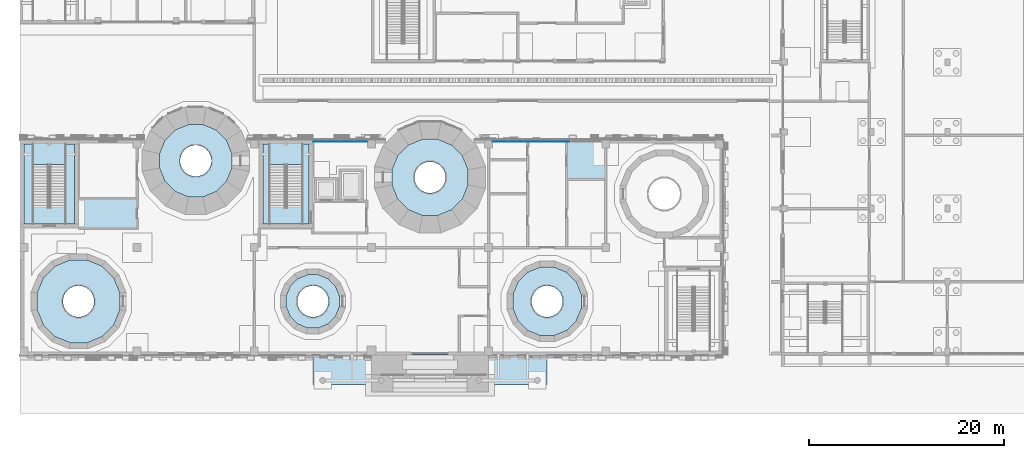
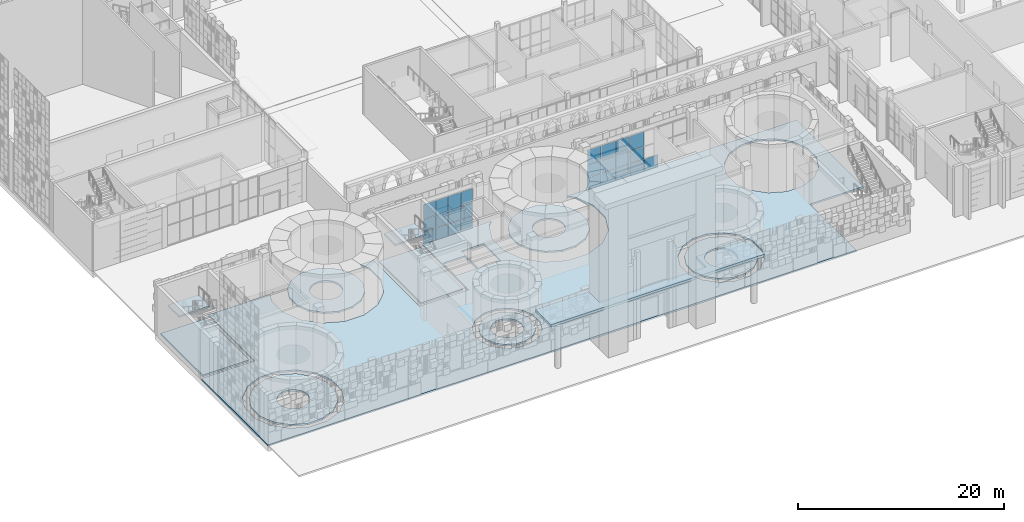
# One storey, part 40 of 125: 25 plates, 11 slabs, 4 elements without a shape of their own.
"""IFC4 building model written with IfcOpenShell, lengths in metres."""

from ifc_helpers import new_model, si_unit, direction, frame, origin, origin_2d, place, context, subcontext, project, spatial, polyline, rectangle, outline, extrude, material, layer, layer_set, type_object, element, aggregate, save


model = new_model("IFC4")

# Units and contexts
model_context = context("Model", 3, precision=1e-05, world=origin(), true_north=direction((0.0, 1.0)))
body_context = subcontext(model_context, "Body", "Model", "MODEL_VIEW")
ifc_project = project(units=[si_unit("LENGTHUNIT", "METRE"), si_unit("AREAUNIT", "SQUARE_METRE"), si_unit("VOLUMEUNIT", "CUBIC_METRE"), si_unit("PLANEANGLEUNIT", "RADIAN"), si_unit("MASSUNIT", "GRAM", prefix="KILO")], contexts=[model_context])

# Site, building, storey
site_placement = place(None, origin())
site = spatial("IfcSite", under=ifc_project, at=site_placement, CompositionType="ELEMENT")
building_placement = place(site_placement, origin())
building = spatial("IfcBuilding", under=site, at=building_placement, Name="Sun Court Science Centre", CompositionType="ELEMENT")
storey_placement = place(building_placement, origin())
storey = spatial("IfcBuildingStorey", under=building, at=storey_placement, Name="L00", CompositionType="ELEMENT", Elevation=0.0)

# Curtain wall, plates
ifc_material_1 = material(Name="Aluminium EN AW-6063 T6", Category="aluminium")
curtain_wall_type = type_object("IfcCurtainWallType", Name="Court gallery curtain wall 1500", PredefinedType="NOTDEFINED", material=ifc_material_1)
curtain_wall_1_placement = place(storey_placement, origin())
curtain_wall_1 = element("IfcCurtainWall", 1, at=curtain_wall_1_placement, inside=storey, type_object=curtain_wall_type, Name="Curtain wall V2 N L00 01", PredefinedType="NOTDEFINED")
ifc_material_2 = material(Name="Insulated glass", Category="glass")
ifc_layer_1 = layer(ifc_material_2, 0.031982421875)
ifc_layer_set_1 = layer_set([ifc_layer_1], Name="Insulated glass")
plate_type = type_object("IfcPlateType", Name="Foyer insulated glazing panel 8-16-8", PredefinedType="CURTAIN_PANEL", material=ifc_layer_set_1)
plate_1_placement = place(storey_placement, frame((30.71240234375, 27.85009765625, 0.0498046875), z_axis=(0.0, 0.0, 1.0), x_axis=(1.0, 0.0, 0.0)))
plate_1 = element("IfcPlate", 2, at=plate_1_placement, type_object=plate_type, Name="CW5-01 panel 1.1", PredefinedType="CURTAIN_PANEL", context=body_context, shape_type="SweptSolid", body=[
    extrude(rectangle(XDim=1.324951171875, YDim=0.031982421875, at=origin_2d()), origin(), (0.0, 0.0, 1.0), 1.425048828125),
])
plate_2_placement = place(storey_placement, frame((32.10009765625, 27.85009765625, 0.0498046875), z_axis=(0.0, 0.0, 1.0), x_axis=(1.0, 0.0, 0.0)))
plate_2 = element("IfcPlate", 3, at=plate_2_placement, type_object=plate_type, Name="CW5-01 panel 2.1", PredefinedType="CURTAIN_PANEL", context=body_context, shape_type="SweptSolid", body=[
    extrude(rectangle(XDim=1.35009765625, YDim=0.031982421875, at=origin_2d()), origin(), (0.0, 0.0, 1.0), 1.425048828125),
])
plate_3_placement = place(storey_placement, frame((33.5, 27.85009765625, 0.0498046875), z_axis=(0.0, 0.0, 1.0), x_axis=(1.0, 0.0, 0.0)))
plate_3 = element("IfcPlate", 4, at=plate_3_placement, type_object=plate_type, Name="CW5-01 panel 3.1", PredefinedType="CURTAIN_PANEL", context=body_context, shape_type="SweptSolid", body=[
    extrude(rectangle(XDim=1.35009765625, YDim=0.031982421875, at=origin_2d()), origin(), (0.0, 0.0, 1.0), 1.425048828125),
])
plate_4_placement = place(storey_placement, frame((34.887451171875, 27.85009765625, 0.0498046875), z_axis=(0.0, 0.0, 1.0), x_axis=(1.0, 0.0, 0.0)))
plate_4 = element("IfcPlate", 5, at=plate_4_placement, type_object=plate_type, Name="CW5-01 panel 4.1", PredefinedType="CURTAIN_PANEL", context=body_context, shape_type="SweptSolid", body=[
    extrude(rectangle(XDim=1.324951171875, YDim=0.031982421875, at=origin_2d()), origin(), (0.0, 0.0, 1.0), 1.425048828125),
])
plate_5_placement = place(storey_placement, frame((30.71240234375, 27.85009765625, 1.52490234375), z_axis=(0.0, 0.0, 1.0), x_axis=(1.0, 0.0, 0.0)))
plate_5 = element("IfcPlate", 6, at=plate_5_placement, type_object=plate_type, Name="CW5-01 panel 1.2", PredefinedType="CURTAIN_PANEL", context=body_context, shape_type="SweptSolid", body=[
    extrude(rectangle(XDim=1.324951171875, YDim=0.031982421875, at=origin_2d()), origin(), (0.0, 0.0, 1.0), 1.449951171875),
])
plate_6_placement = place(storey_placement, frame((32.10009765625, 27.85009765625, 1.52490234375), z_axis=(0.0, 0.0, 1.0), x_axis=(1.0, 0.0, 0.0)))
plate_6 = element("IfcPlate", 7, at=plate_6_placement, type_object=plate_type, Name="CW5-01 panel 2.2", PredefinedType="CURTAIN_PANEL", context=body_context, shape_type="SweptSolid", body=[
    extrude(rectangle(XDim=1.35009765625, YDim=0.031982421875, at=origin_2d()), origin(), (0.0, 0.0, 1.0), 1.449951171875),
])
plate_7_placement = place(storey_placement, frame((33.5, 27.85009765625, 1.52490234375), z_axis=(0.0, 0.0, 1.0), x_axis=(1.0, 0.0, 0.0)))
plate_7 = element("IfcPlate", 8, at=plate_7_placement, type_object=plate_type, Name="CW5-01 panel 3.2", PredefinedType="CURTAIN_PANEL", context=body_context, shape_type="SweptSolid", body=[
    extrude(rectangle(XDim=1.35009765625, YDim=0.031982421875, at=origin_2d()), origin(), (0.0, 0.0, 1.0), 1.449951171875),
])
plate_8_placement = place(storey_placement, frame((34.887451171875, 27.85009765625, 1.52490234375), z_axis=(0.0, 0.0, 1.0), x_axis=(1.0, 0.0, 0.0)))
plate_8 = element("IfcPlate", 9, at=plate_8_placement, type_object=plate_type, Name="CW5-01 panel 4.2", PredefinedType="CURTAIN_PANEL", context=body_context, shape_type="SweptSolid", body=[
    extrude(rectangle(XDim=1.324951171875, YDim=0.031982421875, at=origin_2d()), origin(), (0.0, 0.0, 1.0), 1.449951171875),
])
plate_9_placement = place(storey_placement, frame((30.71240234375, 27.85009765625, 3.02490234375), z_axis=(0.0, 0.0, 1.0), x_axis=(1.0, 0.0, 0.0)))
plate_9 = element("IfcPlate", 10, at=plate_9_placement, type_object=plate_type, Name="CW5-01 panel 1.3", PredefinedType="CURTAIN_PANEL", context=body_context, shape_type="SweptSolid", body=[
    extrude(rectangle(XDim=1.324951171875, YDim=0.031982421875, at=origin_2d()), origin(), (0.0, 0.0, 1.0), 1.72509765625),
])
plate_10_placement = place(storey_placement, frame((32.10009765625, 27.85009765625, 3.02490234375), z_axis=(0.0, 0.0, 1.0), x_axis=(1.0, 0.0, 0.0)))
plate_10 = element("IfcPlate", 11, at=plate_10_placement, type_object=plate_type, Name="CW5-01 panel 2.3", PredefinedType="CURTAIN_PANEL", context=body_context, shape_type="SweptSolid", body=[
    extrude(rectangle(XDim=1.35009765625, YDim=0.031982421875, at=origin_2d()), origin(), (0.0, 0.0, 1.0), 1.72509765625),
])
plate_11_placement = place(storey_placement, frame((33.5, 27.85009765625, 3.02490234375), z_axis=(0.0, 0.0, 1.0), x_axis=(1.0, 0.0, 0.0)))
plate_11 = element("IfcPlate", 12, at=plate_11_placement, type_object=plate_type, Name="CW5-01 panel 3.3", PredefinedType="CURTAIN_PANEL", context=body_context, shape_type="SweptSolid", body=[
    extrude(rectangle(XDim=1.35009765625, YDim=0.031982421875, at=origin_2d()), origin(), (0.0, 0.0, 1.0), 1.72509765625),
])
plate_12_placement = place(storey_placement, frame((34.887451171875, 27.85009765625, 3.02490234375), z_axis=(0.0, 0.0, 1.0), x_axis=(1.0, 0.0, 0.0)))
plate_12 = element("IfcPlate", 13, at=plate_12_placement, type_object=plate_type, Name="CW5-01 panel 4.3", PredefinedType="CURTAIN_PANEL", context=body_context, shape_type="SweptSolid", body=[
    extrude(rectangle(XDim=1.324951171875, YDim=0.031982421875, at=origin_2d()), origin(), (0.0, 0.0, 1.0), 1.72509765625),
])
aggregate(curtain_wall_1, [plate_1, plate_2, plate_3, plate_4, plate_5, plate_6, plate_7, plate_8, plate_9, plate_10, plate_11, plate_12])

curtain_wall_2_placement = place(storey_placement, origin())
curtain_wall_2 = element("IfcCurtainWall", 14, at=curtain_wall_2_placement, inside=storey, type_object=curtain_wall_type, Name="Curtain wall V2 N L00 02", PredefinedType="NOTDEFINED")
plate_13_placement = place(storey_placement, frame((49.21240234375, 27.85009765625, 0.0498046875), z_axis=(0.0, 0.0, 1.0), x_axis=(1.0, 0.0, 0.0)))
plate_13 = element("IfcPlate", 15, at=plate_13_placement, type_object=plate_type, Name="CW5-02 panel 1.1", PredefinedType="CURTAIN_PANEL", context=body_context, shape_type="SweptSolid", body=[
    extrude(rectangle(XDim=1.52490234375, YDim=0.031982421875, at=origin_2d()), origin(), (0.0, 0.0, 1.0), 1.425048828125),
])
plate_14_placement = place(storey_placement, frame((50.800048828125, 27.85009765625, 0.0498046875), z_axis=(0.0, 0.0, 1.0), x_axis=(1.0, 0.0, 0.0)))
plate_14 = element("IfcPlate", 16, at=plate_14_placement, type_object=plate_type, Name="CW5-02 panel 2.1", PredefinedType="CURTAIN_PANEL", context=body_context, shape_type="SweptSolid", body=[
    extrude(rectangle(XDim=1.550048828125, YDim=0.031982421875, at=origin_2d()), origin(), (0.0, 0.0, 1.0), 1.425048828125),
])
plate_15_placement = place(storey_placement, frame((52.39990234375, 27.85009765625, 0.0498046875), z_axis=(0.0, 0.0, 1.0), x_axis=(1.0, 0.0, 0.0)))
plate_15 = element("IfcPlate", 17, at=plate_15_placement, type_object=plate_type, Name="CW5-02 panel 3.1", PredefinedType="CURTAIN_PANEL", context=body_context, shape_type="SweptSolid", body=[
    extrude(rectangle(XDim=1.550048828125, YDim=0.031982421875, at=origin_2d()), origin(), (0.0, 0.0, 1.0), 1.425048828125),
])
plate_16_placement = place(storey_placement, frame((54.0, 27.85009765625, 0.0498046875), z_axis=(0.0, 0.0, 1.0), x_axis=(1.0, 0.0, 0.0)))
plate_16 = element("IfcPlate", 18, at=plate_16_placement, type_object=plate_type, Name="CW5-02 panel 4.1", PredefinedType="CURTAIN_PANEL", context=body_context, shape_type="SweptSolid", body=[
    extrude(rectangle(XDim=1.550048828125, YDim=0.031982421875, at=origin_2d()), origin(), (0.0, 0.0, 1.0), 1.425048828125),
])
plate_17_placement = place(storey_placement, frame((55.60009765625, 27.85009765625, 0.0498046875), z_axis=(0.0, 0.0, 1.0), x_axis=(1.0, 0.0, 0.0)))
plate_17 = element("IfcPlate", 19, at=plate_17_placement, type_object=plate_type, Name="CW5-02 panel 5.1", PredefinedType="CURTAIN_PANEL", context=body_context, shape_type="SweptSolid", body=[
    extrude(rectangle(XDim=1.550048828125, YDim=0.031982421875, at=origin_2d()), origin(), (0.0, 0.0, 1.0), 1.425048828125),
])
plate_18_placement = place(storey_placement, frame((49.21240234375, 27.85009765625, 1.52490234375), z_axis=(0.0, 0.0, 1.0), x_axis=(1.0, 0.0, 0.0)))
plate_18 = element("IfcPlate", 20, at=plate_18_placement, type_object=plate_type, Name="CW5-02 panel 1.2", PredefinedType="CURTAIN_PANEL", context=body_context, shape_type="SweptSolid", body=[
    extrude(rectangle(XDim=1.52490234375, YDim=0.031982421875, at=origin_2d()), origin(), (0.0, 0.0, 1.0), 1.449951171875),
])
plate_19_placement = place(storey_placement, frame((50.800048828125, 27.85009765625, 1.52490234375), z_axis=(0.0, 0.0, 1.0), x_axis=(1.0, 0.0, 0.0)))
plate_19 = element("IfcPlate", 21, at=plate_19_placement, type_object=plate_type, Name="CW5-02 panel 2.2", PredefinedType="CURTAIN_PANEL", context=body_context, shape_type="SweptSolid", body=[
    extrude(rectangle(XDim=1.550048828125, YDim=0.031982421875, at=origin_2d()), origin(), (0.0, 0.0, 1.0), 1.449951171875),
])
plate_20_placement = place(storey_placement, frame((52.39990234375, 27.85009765625, 1.52490234375), z_axis=(0.0, 0.0, 1.0), x_axis=(1.0, 0.0, 0.0)))
plate_20 = element("IfcPlate", 22, at=plate_20_placement, type_object=plate_type, Name="CW5-02 panel 3.2", PredefinedType="CURTAIN_PANEL", context=body_context, shape_type="SweptSolid", body=[
    extrude(rectangle(XDim=1.550048828125, YDim=0.031982421875, at=origin_2d()), origin(), (0.0, 0.0, 1.0), 1.449951171875),
])
plate_21_placement = place(storey_placement, frame((54.0, 27.85009765625, 1.52490234375), z_axis=(0.0, 0.0, 1.0), x_axis=(1.0, 0.0, 0.0)))
plate_21 = element("IfcPlate", 23, at=plate_21_placement, type_object=plate_type, Name="CW5-02 panel 4.2", PredefinedType="CURTAIN_PANEL", context=body_context, shape_type="SweptSolid", body=[
    extrude(rectangle(XDim=1.550048828125, YDim=0.031982421875, at=origin_2d()), origin(), (0.0, 0.0, 1.0), 1.449951171875),
])
plate_22_placement = place(storey_placement, frame((49.21240234375, 27.85009765625, 3.02490234375), z_axis=(0.0, 0.0, 1.0), x_axis=(1.0, 0.0, 0.0)))
plate_22 = element("IfcPlate", 24, at=plate_22_placement, type_object=plate_type, Name="CW5-02 panel 1.3", PredefinedType="CURTAIN_PANEL", context=body_context, shape_type="SweptSolid", body=[
    extrude(rectangle(XDim=1.52490234375, YDim=0.031982421875, at=origin_2d()), origin(), (0.0, 0.0, 1.0), 1.72509765625),
])
plate_23_placement = place(storey_placement, frame((50.800048828125, 27.85009765625, 3.02490234375), z_axis=(0.0, 0.0, 1.0), x_axis=(1.0, 0.0, 0.0)))
plate_23 = element("IfcPlate", 25, at=plate_23_placement, type_object=plate_type, Name="CW5-02 panel 2.3", PredefinedType="CURTAIN_PANEL", context=body_context, shape_type="SweptSolid", body=[
    extrude(rectangle(XDim=1.550048828125, YDim=0.031982421875, at=origin_2d()), origin(), (0.0, 0.0, 1.0), 1.72509765625),
])
plate_24_placement = place(storey_placement, frame((52.39990234375, 27.85009765625, 3.02490234375), z_axis=(0.0, 0.0, 1.0), x_axis=(1.0, 0.0, 0.0)))
plate_24 = element("IfcPlate", 26, at=plate_24_placement, type_object=plate_type, Name="CW5-02 panel 3.3", PredefinedType="CURTAIN_PANEL", context=body_context, shape_type="SweptSolid", body=[
    extrude(rectangle(XDim=1.550048828125, YDim=0.031982421875, at=origin_2d()), origin(), (0.0, 0.0, 1.0), 1.72509765625),
])
plate_25_placement = place(storey_placement, frame((54.0, 27.85009765625, 3.02490234375), z_axis=(0.0, 0.0, 1.0), x_axis=(1.0, 0.0, 0.0)))
plate_25 = element("IfcPlate", 27, at=plate_25_placement, type_object=plate_type, Name="CW5-02 panel 4.3", PredefinedType="CURTAIN_PANEL", context=body_context, shape_type="SweptSolid", body=[
    extrude(rectangle(XDim=1.550048828125, YDim=0.031982421875, at=origin_2d()), origin(), (0.0, 0.0, 1.0), 1.72509765625),
])
aggregate(curtain_wall_2, [plate_13, plate_14, plate_15, plate_16, plate_17, plate_18, plate_19, plate_20, plate_21, plate_22, plate_23, plate_24, plate_25])

# Slabs
ifc_material_3 = material(Name="Concrete C25/30", Category="concrete")
ifc_layer_2 = layer(ifc_material_3, 0.300048828125)
ifc_layer_set_2 = layer_set([ifc_layer_2], Name="Concrete C25/30")
slab_type_1 = type_object("IfcSlabType", Name="RC canopy slab 300", PredefinedType="ROOF", material=ifc_layer_set_2)
slab_1_placement = place(storey_placement, frame((0.0, 0.0, 5.25)))
element("IfcSlab", 28, at=slab_1_placement, inside=storey, type_object=slab_type_1, Name="Entrance canopy slab", PredefinedType="ROOF", context=body_context, shape_type="SweptSolid", body=[
    extrude(outline(polyline([(54.0, 6.0), (48.0, 6.0), (48.0, 4.0), (36.0, 4.0), (36.0, 6.0), (30.0, 6.0), (30.0, 3.0), (54.0, 3.0), (54.0, 6.0)])), origin(), (0.0, 0.0, 1.0), 0.300048828125),
])
ifc_material_4 = material(Name="Concrete C25/30", Category="concrete")
ifc_layer_3 = layer(ifc_material_4, 0.199951171875)
ifc_layer_set_3 = layer_set([ifc_layer_3], Name="Concrete C25/30")
slab_type_2 = type_object("IfcSlabType", Name="RC ground slab 200", PredefinedType="BASESLAB", material=ifc_layer_set_3)
slab_2_placement = place(storey_placement, frame((0.0, 0.0, -0.199951171875)))
element("IfcSlab", 29, at=slab_2_placement, inside=storey, type_object=slab_type_2, Name="Ground slab L00", PredefinedType="BASESLAB", context=body_context, shape_type="SweptSolid", body=[
    extrude(outline(polyline([(72.0, 15.0), (72.0, 28.0), (46.244873046875, 28.0), (46.822509765625, 27.42236328125), (47.6884765625, 25.33154296875), (47.6884765625, 23.068359375), (46.822509765625, 20.977783203125), (45.222412109375, 19.37744140625), (43.131591796875, 18.511474609375), (40.868408203125, 18.511474609375), (38.777587890625, 19.37744140625), (37.177490234375, 20.977783203125), (36.3115234375, 23.068359375), (36.3115234375, 25.33154296875), (37.177490234375, 27.42236328125), (37.755126953125, 28.0), (30.0, 28.0), (30.0, 19.0), (24.5, 19.0), (24.5, 28.0), (23.0751953125, 28.0), (23.492431640625, 26.992431640625), (23.492431640625, 24.807373046875), (22.65625, 22.788818359375), (21.111083984375, 21.24365234375), (19.092529296875, 20.40771484375), (16.907470703125, 20.40771484375), (14.888916015625, 21.24365234375), (13.34375, 22.788818359375), (12.507568359375, 24.807373046875), (12.507568359375, 26.992431640625), (12.9248046875, 28.0), (6.0, 28.0), (6.0, 19.0), (0.0, 19.0), (0.0, 6.0), (66.0, 6.0), (66.0, 15.0), (72.0, 15.0)]), holes=[polyline([(70.51171875, 23.3974609375), (70.51171875, 21.6025390625), (69.82470703125, 19.9443359375), (68.5556640625, 18.67529296875), (66.8974609375, 17.98828125), (65.1025390625, 17.98828125), (63.4443359375, 18.67529296875), (62.17529296875, 19.9443359375), (61.48828125, 21.6025390625), (61.48828125, 23.3974609375), (62.17529296875, 25.0556640625), (63.4443359375, 26.32470703125), (65.1025390625, 27.01171875), (66.8974609375, 27.01171875), (68.5556640625, 26.32470703125), (69.82470703125, 25.0556640625), (70.51171875, 23.3974609375)]), polyline([(58.119384765625, 10.6806640625), (57.4921875, 9.16650390625), (56.33349609375, 8.0078125), (54.8193359375, 7.380615234375), (53.1806640625, 7.380615234375), (51.66650390625, 8.0078125), (50.5078125, 9.16650390625), (49.880615234375, 10.6806640625), (49.880615234375, 12.3193359375), (50.5078125, 13.83349609375), (51.66650390625, 14.9921875), (53.1806640625, 15.619384765625), (54.8193359375, 15.619384765625), (56.33349609375, 14.9921875), (57.4921875, 13.83349609375), (58.119384765625, 12.3193359375), (58.119384765625, 10.6806640625)]), polyline([(32.699951171875, 25.050048828125), (35.199951171875, 25.050048828125), (35.199951171875, 21.75), (32.699951171875, 21.75), (32.699951171875, 25.050048828125)]), polyline([(33.334716796875, 10.836669921875), (32.826904296875, 9.611083984375), (31.888916015625, 8.673095703125), (30.663330078125, 8.165283203125), (29.336669921875, 8.165283203125), (28.111083984375, 8.673095703125), (27.173095703125, 9.611083984375), (26.665283203125, 10.836669921875), (26.665283203125, 12.163330078125), (27.173095703125, 13.388916015625), (28.111083984375, 14.326904296875), (29.336669921875, 14.834716796875), (30.663330078125, 14.834716796875), (31.888916015625, 14.326904296875), (32.826904296875, 13.388916015625), (33.334716796875, 12.163330078125), (33.334716796875, 10.836669921875)]), polyline([(30.1474609375, 24.172607421875), (32.572509765625, 24.172607421875), (32.572509765625, 21.74755859375), (30.1474609375, 21.74755859375), (30.1474609375, 24.172607421875)]), polyline([(10.85498046875, 12.465576171875), (10.85498046875, 10.534423828125), (10.11572265625, 8.75), (8.75, 7.38427734375), (6.965576171875, 6.64501953125), (5.034423828125, 6.64501953125), (3.25, 7.38427734375), (1.88427734375, 8.75), (1.14501953125, 10.534423828125), (1.14501953125, 12.465576171875), (1.88427734375, 14.25), (3.25, 15.61572265625), (5.034423828125, 16.35498046875), (6.965576171875, 16.35498046875), (8.75, 15.61572265625), (10.11572265625, 14.25), (10.85498046875, 12.465576171875)])]), origin(), (0.0, 0.0, 1.0), 0.199951171875),
])
slab_3_placement = place(storey_placement, frame((0.0, 0.0, -0.199951171875)))
element("IfcSlab", 30, at=slab_3_placement, inside=storey, type_object=slab_type_2, Name="Stair SB1 ground slab", PredefinedType="BASESLAB", context=body_context, shape_type="SweptSolid", body=[
    extrude(outline(polyline([(0.39990234375, 19.39990234375), (5.60009765625, 19.39990234375), (5.60009765625, 27.60009765625), (0.39990234375, 27.60009765625), (0.39990234375, 19.39990234375)])), origin(), (0.0, 0.0, 1.0), 0.199951171875),
])
slab_4_placement = place(storey_placement, frame((0.0, 0.0, -0.199951171875)))
element("IfcSlab", 31, at=slab_4_placement, inside=storey, type_object=slab_type_2, Name="Stair SB2 ground slab", PredefinedType="BASESLAB", context=body_context, shape_type="SweptSolid", body=[
    extrude(outline(polyline([(24.89990234375, 19.39990234375), (29.60009765625, 19.39990234375), (29.60009765625, 27.60009765625), (24.89990234375, 27.60009765625), (24.89990234375, 19.39990234375)])), origin(), (0.0, 0.0, 1.0), 0.199951171875),
])
slab_5_placement = place(storey_placement, frame((0.0, 0.0, -0.199951171875)))
element("IfcSlab", 32, at=slab_5_placement, inside=storey, type_object=slab_type_2, Name="Cone 1 ground slab", PredefinedType="BASESLAB", context=body_context, shape_type="SweptSolid", body=[
    extrude(outline(polyline([(10.2548828125, 10.653564453125), (10.2548828125, 12.346435546875), (9.607177734375, 13.91015625), (8.41015625, 15.107177734375), (6.846435546875, 15.7548828125), (5.153564453125, 15.7548828125), (3.58984375, 15.107177734375), (2.392822265625, 13.91015625), (1.7451171875, 12.346435546875), (1.7451171875, 10.653564453125), (2.392822265625, 9.08984375), (3.58984375, 7.892822265625), (5.153564453125, 7.2451171875), (6.846435546875, 7.2451171875), (8.41015625, 7.892822265625), (9.607177734375, 9.08984375), (10.2548828125, 10.653564453125)]), holes=[polyline([(7.58642578125, 11.708740234375), (7.60009765625, 11.5), (7.58642578125, 11.291259765625), (7.54541015625, 11.0859375), (7.478271484375, 10.8876953125), (7.3857421875, 10.699951171875), (7.269287109375, 10.52587890625), (7.13134765625, 10.36865234375), (6.97412109375, 10.230712890625), (6.800048828125, 10.1142578125), (6.6123046875, 10.021728515625), (6.4140625, 9.95458984375), (6.208740234375, 9.91357421875), (6.0, 9.89990234375), (5.791259765625, 9.91357421875), (5.5859375, 9.95458984375), (5.3876953125, 10.021728515625), (5.199951171875, 10.1142578125), (5.02587890625, 10.230712890625), (4.86865234375, 10.36865234375), (4.730712890625, 10.52587890625), (4.6142578125, 10.699951171875), (4.521728515625, 10.8876953125), (4.45458984375, 11.0859375), (4.41357421875, 11.291259765625), (4.39990234375, 11.5), (4.41357421875, 11.708740234375), (4.45458984375, 11.9140625), (4.521728515625, 12.1123046875), (4.6142578125, 12.300048828125), (4.730712890625, 12.47412109375), (4.86865234375, 12.63134765625), (5.02587890625, 12.769287109375), (5.199951171875, 12.8857421875), (5.3876953125, 12.978271484375), (5.5859375, 13.04541015625), (5.791259765625, 13.08642578125), (6.0, 13.10009765625), (6.208740234375, 13.08642578125), (6.4140625, 13.04541015625), (6.6123046875, 12.978271484375), (6.800048828125, 12.8857421875), (6.97412109375, 12.769287109375), (7.13134765625, 12.63134765625), (7.269287109375, 12.47412109375), (7.3857421875, 12.300048828125), (7.478271484375, 12.1123046875), (7.54541015625, 11.9140625), (7.58642578125, 11.708740234375)])]), origin(), (0.0, 0.0, 1.0), 0.199951171875),
])
slab_6_placement = place(storey_placement, frame((0.0, 0.0, -0.199951171875)))
element("IfcSlab", 33, at=slab_6_placement, inside=storey, type_object=slab_type_2, Name="Cone 2 ground slab", PredefinedType="BASESLAB", context=body_context, shape_type="SweptSolid", body=[
    extrude(outline(polyline([(21.715576171875, 25.160888671875), (21.715576171875, 26.63916015625), (21.14990234375, 28.004638671875), (20.104736328125, 29.0498046875), (18.739013671875, 29.615478515625), (17.260986328125, 29.615478515625), (15.895263671875, 29.0498046875), (14.85009765625, 28.004638671875), (14.284423828125, 26.63916015625), (14.284423828125, 25.160888671875), (14.85009765625, 23.79541015625), (15.895263671875, 22.750244140625), (17.260986328125, 22.1845703125), (18.739013671875, 22.1845703125), (20.104736328125, 22.750244140625), (21.14990234375, 23.79541015625), (21.715576171875, 25.160888671875)]), holes=[polyline([(19.58642578125, 26.10888671875), (19.60009765625, 25.89990234375), (19.58642578125, 25.691162109375), (19.54541015625, 25.48583984375), (19.478271484375, 25.28759765625), (19.3857421875, 25.10009765625), (19.269287109375, 24.926025390625), (19.13134765625, 24.7685546875), (18.97412109375, 24.630615234375), (18.800048828125, 24.514404296875), (18.6123046875, 24.421875), (18.4140625, 24.3544921875), (18.208740234375, 24.313720703125), (18.0, 24.300048828125), (17.791259765625, 24.313720703125), (17.5859375, 24.3544921875), (17.3876953125, 24.421875), (17.199951171875, 24.514404296875), (17.02587890625, 24.630615234375), (16.86865234375, 24.7685546875), (16.730712890625, 24.926025390625), (16.6142578125, 25.10009765625), (16.521728515625, 25.28759765625), (16.45458984375, 25.48583984375), (16.41357421875, 25.691162109375), (16.39990234375, 25.89990234375), (16.41357421875, 26.10888671875), (16.45458984375, 26.314208984375), (16.521728515625, 26.51220703125), (16.6142578125, 26.699951171875), (16.730712890625, 26.8740234375), (16.86865234375, 27.03125), (17.02587890625, 27.16943359375), (17.199951171875, 27.28564453125), (17.3876953125, 27.378173828125), (17.5859375, 27.445556640625), (17.791259765625, 27.486328125), (18.0, 27.5), (18.208740234375, 27.486328125), (18.4140625, 27.445556640625), (18.6123046875, 27.378173828125), (18.800048828125, 27.28564453125), (18.97412109375, 27.16943359375), (19.13134765625, 27.03125), (19.269287109375, 26.8740234375), (19.3857421875, 26.699951171875), (19.478271484375, 26.51220703125), (19.54541015625, 26.314208984375), (19.58642578125, 26.10888671875)])]), origin(), (0.0, 0.0, 1.0), 0.199951171875),
])
slab_7_placement = place(storey_placement, frame((0.0, 0.0, -0.199951171875)))
element("IfcSlab", 34, at=slab_7_placement, inside=storey, type_object=slab_type_2, Name="Cone 3 ground slab", PredefinedType="BASESLAB", context=body_context, shape_type="SweptSolid", body=[
    extrude(outline(polyline([(32.734619140625, 10.9560546875), (32.734619140625, 12.0439453125), (32.318359375, 13.049072265625), (31.549072265625, 13.818359375), (30.5439453125, 14.234619140625), (29.4560546875, 14.234619140625), (28.450927734375, 13.818359375), (27.681640625, 13.049072265625), (27.265380859375, 12.0439453125), (27.265380859375, 10.9560546875), (27.681640625, 9.950927734375), (28.450927734375, 9.181640625), (29.4560546875, 8.765380859375), (30.5439453125, 8.765380859375), (31.549072265625, 9.181640625), (32.318359375, 9.950927734375), (32.734619140625, 10.9560546875)]), holes=[polyline([(31.58642578125, 11.708740234375), (31.60009765625, 11.5), (31.58642578125, 11.291259765625), (31.54541015625, 11.0859375), (31.478271484375, 10.8876953125), (31.3857421875, 10.699951171875), (31.269287109375, 10.52587890625), (31.13134765625, 10.36865234375), (30.97412109375, 10.230712890625), (30.800048828125, 10.1142578125), (30.6123046875, 10.021728515625), (30.4140625, 9.95458984375), (30.208740234375, 9.91357421875), (30.0, 9.89990234375), (29.791259765625, 9.91357421875), (29.5859375, 9.95458984375), (29.3876953125, 10.021728515625), (29.199951171875, 10.1142578125), (29.02587890625, 10.230712890625), (28.86865234375, 10.36865234375), (28.730712890625, 10.52587890625), (28.6142578125, 10.699951171875), (28.521728515625, 10.8876953125), (28.45458984375, 11.0859375), (28.41357421875, 11.291259765625), (28.39990234375, 11.5), (28.41357421875, 11.708740234375), (28.45458984375, 11.9140625), (28.521728515625, 12.1123046875), (28.6142578125, 12.300048828125), (28.730712890625, 12.47412109375), (28.86865234375, 12.63134765625), (29.02587890625, 12.769287109375), (29.199951171875, 12.8857421875), (29.3876953125, 12.978271484375), (29.5859375, 13.04541015625), (29.791259765625, 13.08642578125), (30.0, 13.10009765625), (30.208740234375, 13.08642578125), (30.4140625, 13.04541015625), (30.6123046875, 12.978271484375), (30.800048828125, 12.8857421875), (30.97412109375, 12.769287109375), (31.13134765625, 12.63134765625), (31.269287109375, 12.47412109375), (31.3857421875, 12.300048828125), (31.478271484375, 12.1123046875), (31.54541015625, 11.9140625), (31.58642578125, 11.708740234375)])]), origin(), (0.0, 0.0, 1.0), 0.199951171875),
])
slab_8_placement = place(storey_placement, frame((0.0, 0.0, -0.199951171875)))
element("IfcSlab", 35, at=slab_8_placement, inside=storey, type_object=slab_type_2, Name="Cone 4 ground slab", PredefinedType="BASESLAB", context=body_context, shape_type="SweptSolid", body=[
    extrude(outline(polyline([(45.91162109375, 23.421875), (45.91162109375, 24.97802734375), (45.316162109375, 26.415771484375), (44.2158203125, 27.51611328125), (42.778076171875, 28.111572265625), (41.221923828125, 28.111572265625), (39.7841796875, 27.51611328125), (38.683837890625, 26.415771484375), (38.08837890625, 24.97802734375), (38.08837890625, 23.421875), (38.683837890625, 21.984130859375), (39.7841796875, 20.8837890625), (41.221923828125, 20.288330078125), (42.778076171875, 20.288330078125), (44.2158203125, 20.8837890625), (45.316162109375, 21.984130859375), (45.91162109375, 23.421875)]), holes=[polyline([(43.58642578125, 24.408935546875), (43.60009765625, 24.199951171875), (43.58642578125, 23.9912109375), (43.54541015625, 23.785888671875), (43.478271484375, 23.587646484375), (43.3857421875, 23.39990234375), (43.269287109375, 23.22607421875), (43.13134765625, 23.068603515625), (42.97412109375, 22.9306640625), (42.800048828125, 22.814453125), (42.6123046875, 22.7216796875), (42.4140625, 22.654541015625), (42.208740234375, 22.61376953125), (42.0, 22.60009765625), (41.791259765625, 22.61376953125), (41.5859375, 22.654541015625), (41.3876953125, 22.7216796875), (41.199951171875, 22.814453125), (41.02587890625, 22.9306640625), (40.86865234375, 23.068603515625), (40.730712890625, 23.22607421875), (40.6142578125, 23.39990234375), (40.521728515625, 23.587646484375), (40.45458984375, 23.785888671875), (40.41357421875, 23.9912109375), (40.39990234375, 24.199951171875), (40.41357421875, 24.408935546875), (40.45458984375, 24.614013671875), (40.521728515625, 24.812255859375), (40.6142578125, 25.0), (40.730712890625, 25.174072265625), (40.86865234375, 25.331298828125), (41.02587890625, 25.469482421875), (41.199951171875, 25.585693359375), (41.3876953125, 25.67822265625), (41.5859375, 25.745361328125), (41.791259765625, 25.786376953125), (42.0, 25.800048828125), (42.208740234375, 25.786376953125), (42.4140625, 25.745361328125), (42.6123046875, 25.67822265625), (42.800048828125, 25.585693359375), (42.97412109375, 25.469482421875), (43.13134765625, 25.331298828125), (43.269287109375, 25.174072265625), (43.3857421875, 25.0), (43.478271484375, 24.812255859375), (43.54541015625, 24.614013671875), (43.58642578125, 24.408935546875)])]), origin(), (0.0, 0.0, 1.0), 0.199951171875),
])
slab_9_placement = place(storey_placement, frame((0.0, 0.0, -0.199951171875)))
element("IfcSlab", 36, at=slab_9_placement, inside=storey, type_object=slab_type_2, Name="Cone 5 ground slab", PredefinedType="BASESLAB", context=body_context, shape_type="SweptSolid", body=[
    extrude(outline(polyline([(57.519287109375, 10.800048828125), (57.519287109375, 12.199951171875), (56.9833984375, 13.493408203125), (55.993408203125, 14.4833984375), (54.699951171875, 15.019287109375), (53.300048828125, 15.019287109375), (52.006591796875, 14.4833984375), (51.0166015625, 13.493408203125), (50.480712890625, 12.199951171875), (50.480712890625, 10.800048828125), (51.0166015625, 9.506591796875), (52.006591796875, 8.5166015625), (53.300048828125, 7.980712890625), (54.699951171875, 7.980712890625), (55.993408203125, 8.5166015625), (56.9833984375, 9.506591796875), (57.519287109375, 10.800048828125)]), holes=[polyline([(55.58642578125, 11.708740234375), (55.60009765625, 11.5), (55.58642578125, 11.291259765625), (55.54541015625, 11.0859375), (55.478271484375, 10.8876953125), (55.3857421875, 10.699951171875), (55.269287109375, 10.52587890625), (55.13134765625, 10.36865234375), (54.97412109375, 10.230712890625), (54.800048828125, 10.1142578125), (54.6123046875, 10.021728515625), (54.4140625, 9.95458984375), (54.208740234375, 9.91357421875), (54.0, 9.89990234375), (53.791259765625, 9.91357421875), (53.5859375, 9.95458984375), (53.3876953125, 10.021728515625), (53.199951171875, 10.1142578125), (53.02587890625, 10.230712890625), (52.86865234375, 10.36865234375), (52.730712890625, 10.52587890625), (52.6142578125, 10.699951171875), (52.521728515625, 10.8876953125), (52.45458984375, 11.0859375), (52.41357421875, 11.291259765625), (52.39990234375, 11.5), (52.41357421875, 11.708740234375), (52.45458984375, 11.9140625), (52.521728515625, 12.1123046875), (52.6142578125, 12.300048828125), (52.730712890625, 12.47412109375), (52.86865234375, 12.63134765625), (53.02587890625, 12.769287109375), (53.199951171875, 12.8857421875), (53.3876953125, 12.978271484375), (53.5859375, 13.04541015625), (53.791259765625, 13.08642578125), (54.0, 13.10009765625), (54.208740234375, 13.08642578125), (54.4140625, 13.04541015625), (54.6123046875, 12.978271484375), (54.800048828125, 12.8857421875), (54.97412109375, 12.769287109375), (55.13134765625, 12.63134765625), (55.269287109375, 12.47412109375), (55.3857421875, 12.300048828125), (55.478271484375, 12.1123046875), (55.54541015625, 11.9140625), (55.58642578125, 11.708740234375)])]), origin(), (0.0, 0.0, 1.0), 0.199951171875),
])

# Stair, slab
ifc_material_5 = material(Name="Concrete C25/30", Category="concrete")
stair_type = type_object("IfcStairType", Name="Stair 1500 enclosed half-turn", PredefinedType="HALF_TURN_STAIR", material=ifc_material_5)
stair_1_placement = place(storey_placement, origin())
stair_1 = element("IfcStair", 37, at=stair_1_placement, inside=storey, type_object=stair_type, Name="L00 Stair SB1", PredefinedType="HALF_TURN_STAIR")
ifc_material_6 = material(Name="Concrete C25/30", Category="concrete")
ifc_layer_4 = layer(ifc_material_6, 0.199951171875)
ifc_layer_set_4 = layer_set([ifc_layer_4], Name="Concrete C25/30")
slab_type_3 = type_object("IfcSlabType", Name="Stair landing 200", PredefinedType="LANDING", material=ifc_layer_set_4)
slab_10_placement = place(storey_placement, frame((0.0, 0.0, 2.800048828125)))
slab_10 = element("IfcSlab", 38, at=slab_10_placement, type_object=slab_type_3, Name="SB1 landing 1", PredefinedType="LANDING", context=body_context, shape_type="SweptSolid", body=[
    extrude(outline(polyline([(4.722900390625, 25.52392578125), (4.722900390625, 27.699951171875), (1.277099609375, 27.699951171875), (1.277099609375, 25.52392578125), (4.722900390625, 25.52392578125)])), origin(), (0.0, 0.0, 1.0), 0.199951171875),
])
aggregate(stair_1, [slab_10])

stair_2_placement = place(storey_placement, origin())
stair_2 = element("IfcStair", 39, at=stair_2_placement, inside=storey, type_object=stair_type, Name="L00 Stair SB2", PredefinedType="HALF_TURN_STAIR")
slab_11_placement = place(storey_placement, frame((0.0, 0.0, 2.800048828125)))
slab_11 = element("IfcSlab", 40, at=slab_11_placement, type_object=slab_type_3, Name="SB2 landing 1", PredefinedType="LANDING", context=body_context, shape_type="SweptSolid", body=[
    extrude(outline(polyline([(28.972900390625, 25.52392578125), (28.972900390625, 27.699951171875), (25.527099609375, 27.699951171875), (25.527099609375, 25.52392578125), (28.972900390625, 25.52392578125)])), origin(), (0.0, 0.0, 1.0), 0.199951171875),
])
aggregate(stair_2, [slab_11])

save(model, "model.ifc")
